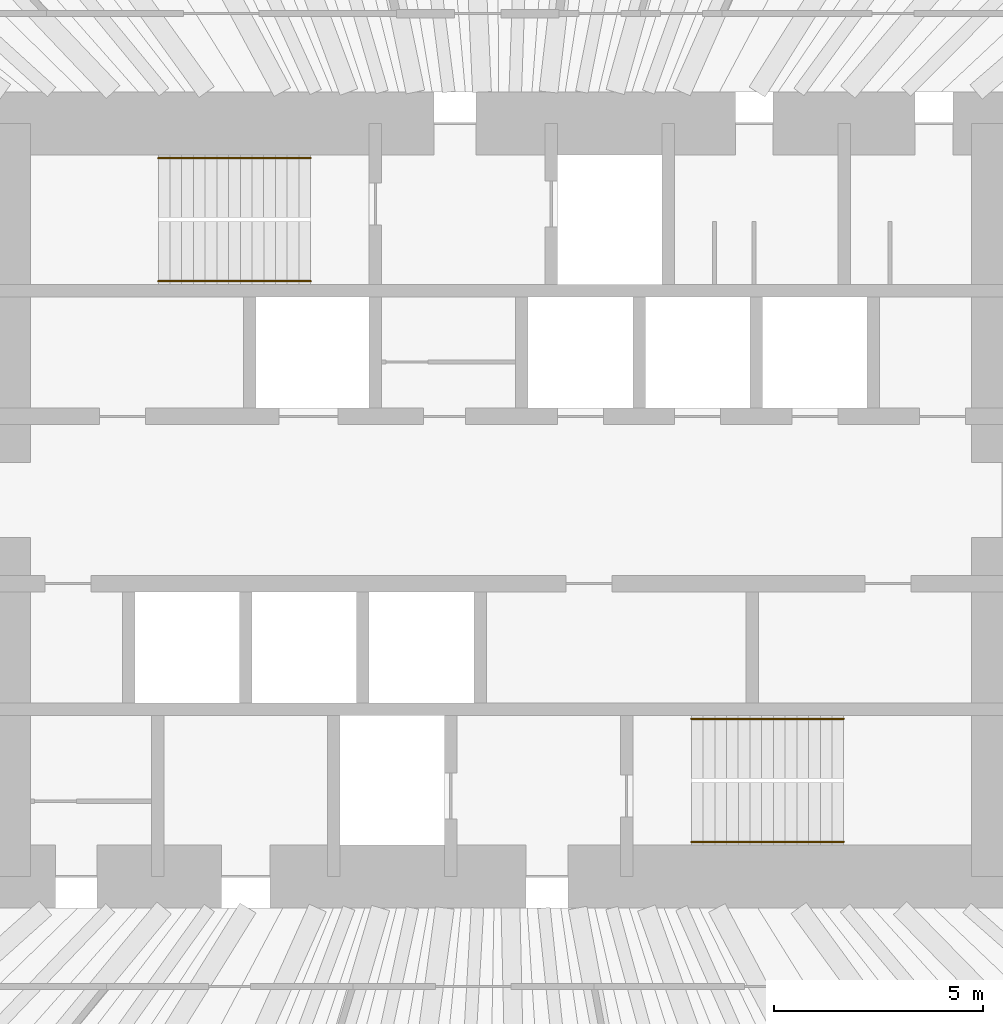
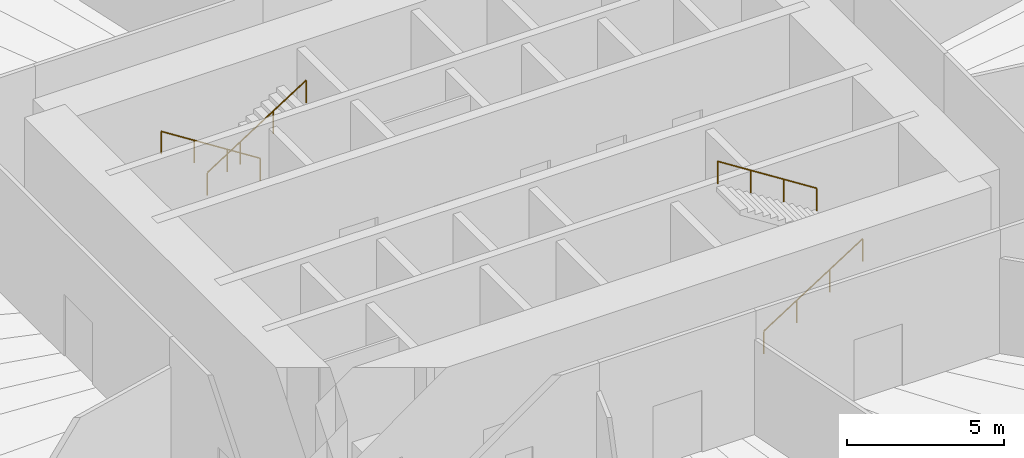
# One storey, part 13 of 13: 4 railings.
"""IFC4 building model written with IfcOpenShell, lengths in metres."""

from ifc_helpers import new_model, si_unit, direction, frame, origin, origin_2d, place, context, subcontext, project, spatial, circle, extrude, material, type_object, element, save


model = new_model("IFC4")

# Units and contexts
model_context = context("Model", 3, precision=1e-05, world=origin(), true_north=direction((0.0, 1.0)))
body_context = subcontext(model_context, "Body", "Model", "MODEL_VIEW")
ifc_project = project(units=[si_unit("LENGTHUNIT", "METRE"), si_unit("AREAUNIT", "SQUARE_METRE"), si_unit("VOLUMEUNIT", "CUBIC_METRE"), si_unit("PLANEANGLEUNIT", "RADIAN"), si_unit("MASSUNIT", "GRAM", prefix="KILO")], contexts=[model_context])

# Site, building, storey
site_placement = place(None, origin())
site = spatial("IfcSite", under=ifc_project, at=site_placement, CompositionType="ELEMENT")
building_placement = place(site_placement, origin())
building = spatial("IfcBuilding", under=site, at=building_placement, Name="Qingtian Harvest Tower", CompositionType="ELEMENT")
storey_placement = place(building_placement, frame((0.0, 0.0, 77.0)))
storey = spatial("IfcBuildingStorey", under=building, at=storey_placement, Name="L15", CompositionType="ELEMENT", Elevation=77.0)

# Railings
ifc_material = material(Name="Stainless steel handrail", Category="steel")
railing_type = type_object("IfcRailingType", Name="Handrail HR1", PredefinedType="HANDRAIL", material=ifc_material)
railing_1_placement = place(storey_placement, frame((-4.550048828125, 8.169921875, 0.178466796875)))
element("IfcRailing", 1, at=railing_1_placement, inside=storey, type_object=railing_type, Name="Handrail HR1 S1 flight 1", PredefinedType="HANDRAIL", context=body_context, shape_type="SweptSolid", body=[
    extrude(circle(Radius=0.02392578125, at=origin_2d()), frame((0.0, 0.0, 0.8759765625), z_axis=(-0.843111507901, 0.0, 0.53773877045), x_axis=(0.0, -1.0, 0.0)), (0.0, 0.0, 1.0), 4.317138671875),
    extrude(circle(Radius=0.02099609375, at=origin_2d()), origin(), (0.0, 0.0, 1.0), 0.851806640625),
    extrude(circle(Radius=0.02099609375, at=origin_2d()), frame((-1.21337890625, 0.0, 0.77392578125)), (0.0, 0.0, 1.0), 0.851806640625),
    extrude(circle(Radius=0.02099609375, at=origin_2d()), frame((-2.426513671875, 0.0, 1.547607421875)), (0.0, 0.0, 1.0), 0.851806640625),
    extrude(circle(Radius=0.02099609375, at=origin_2d()), frame((-3.639892578125, 0.0, 2.321533203125)), (0.0, 0.0, 1.0), 0.851806640625),
])
for number, where, name in (
    (2, (-8.18994140625, 5.22998046875, 2.678466796875), "Handrail HR1 S1 flight 2"),
    (3, (4.550048828125, -8.169921875, 0.178466796875), "Handrail HR1 S2 flight 1"),
):
    element("IfcRailing", number, at=place(storey_placement, frame(where)), inside=storey, type_object=railing_type, Name=name, PredefinedType="HANDRAIL", context=body_context, shape_type="SweptSolid", body=[
        extrude(circle(Radius=0.02392578125, at=origin_2d()), frame((0.0, 0.0, 0.8759765625), z_axis=(0.843111507901, 0.0, 0.53773877045), x_axis=(0.0, 1.0, 0.0)), (0.0, 0.0, 1.0), 4.317138671875),
        extrude(circle(Radius=0.02099609375, at=origin_2d()), origin(), (0.0, 0.0, 1.0), 0.851806640625),
        extrude(circle(Radius=0.02099609375, at=origin_2d()), frame((1.21337890625, 0.0, 0.77392578125)), (0.0, 0.0, 1.0), 0.851806640625),
        extrude(circle(Radius=0.02099609375, at=origin_2d()), frame((2.426513671875, 0.0, 1.547607421875)), (0.0, 0.0, 1.0), 0.851806640625),
        extrude(circle(Radius=0.02099609375, at=origin_2d()), frame((3.639892578125, 0.0, 2.321533203125)), (0.0, 0.0, 1.0), 0.851806640625),
    ])
railing_2_placement = place(storey_placement, frame((8.18994140625, -5.22998046875, 2.678466796875)))
element("IfcRailing", 4, at=railing_2_placement, inside=storey, type_object=railing_type, Name="Handrail HR1 S2 flight 2", PredefinedType="HANDRAIL", context=body_context, shape_type="SweptSolid", body=[
    extrude(circle(Radius=0.02392578125, at=origin_2d()), frame((0.0, 0.0, 0.8759765625), z_axis=(-0.843111507901, 0.0, 0.53773877045), x_axis=(0.0, -1.0, 0.0)), (0.0, 0.0, 1.0), 4.317138671875),
    extrude(circle(Radius=0.02099609375, at=origin_2d()), origin(), (0.0, 0.0, 1.0), 0.851806640625),
    extrude(circle(Radius=0.02099609375, at=origin_2d()), frame((-1.21337890625, 0.0, 0.77392578125)), (0.0, 0.0, 1.0), 0.851806640625),
    extrude(circle(Radius=0.02099609375, at=origin_2d()), frame((-2.426513671875, 0.0, 1.547607421875)), (0.0, 0.0, 1.0), 0.851806640625),
    extrude(circle(Radius=0.02099609375, at=origin_2d()), frame((-3.639892578125, 0.0, 2.321533203125)), (0.0, 0.0, 1.0), 0.851806640625),
])

save(model, "model.ifc")
